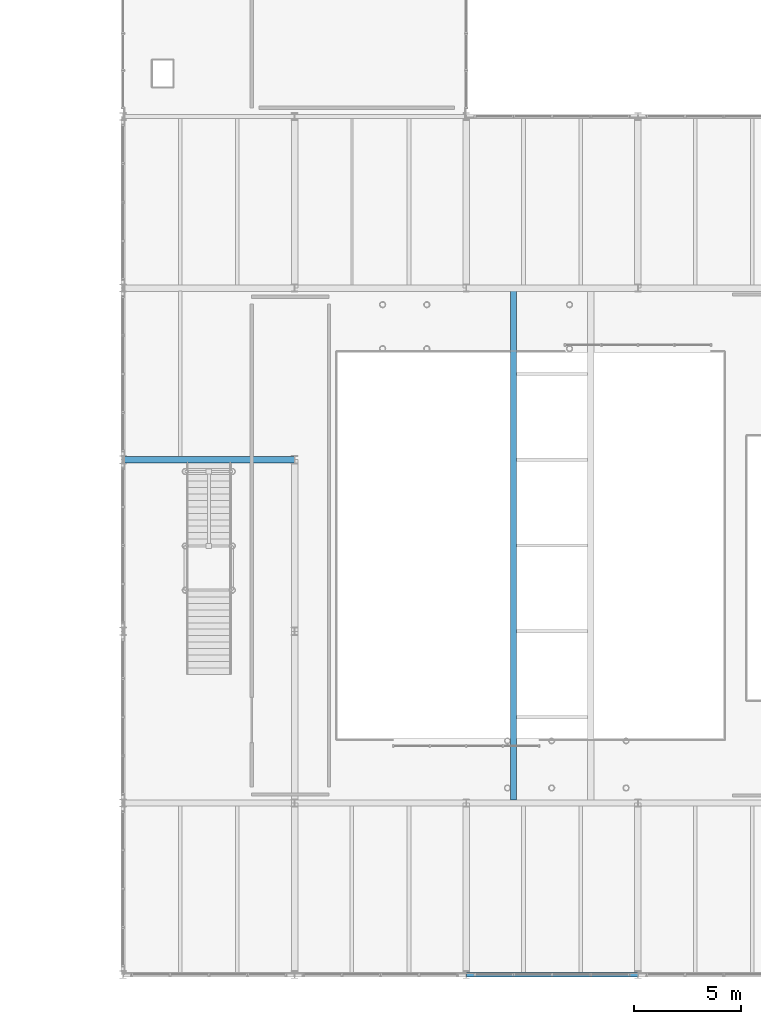
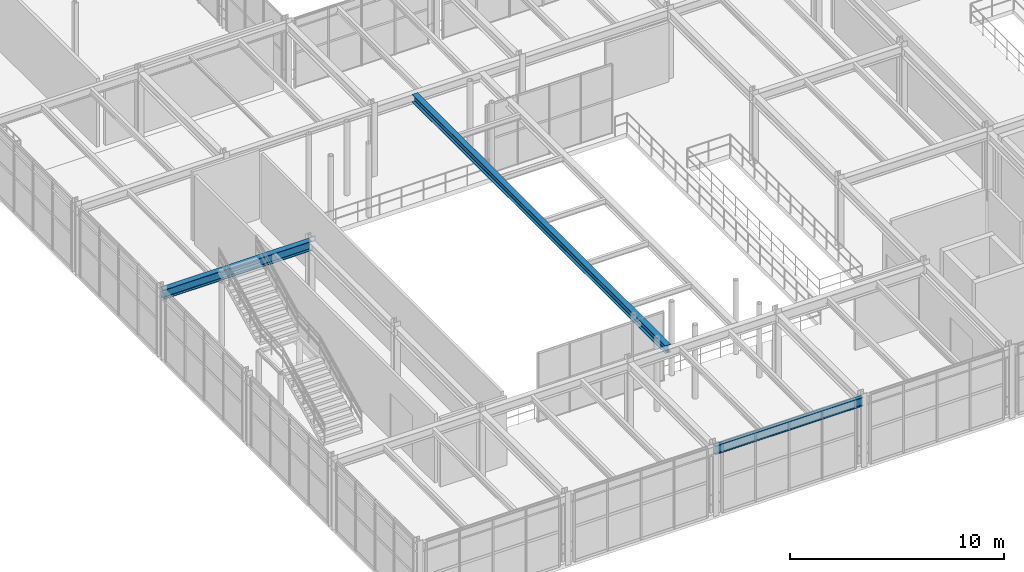
# One storey, part 25 of 122: 3 beams.
"""IFC4 building model written with IfcOpenShell, lengths in metres."""

from ifc_helpers import new_model, si_unit, direction, frame, origin, origin_2d, place, context, subcontext, project, spatial, i_section, extrude, material, material_profile, profile_set, type_object, element, save


model = new_model("IFC4")

# Units and contexts
model_context = context("Model", 3, precision=1e-05, world=origin(), true_north=direction((0.0, 1.0)))
body_context = subcontext(model_context, "Body", "Model", "MODEL_VIEW")
ifc_project = project(units=[si_unit("LENGTHUNIT", "METRE"), si_unit("AREAUNIT", "SQUARE_METRE"), si_unit("VOLUMEUNIT", "CUBIC_METRE"), si_unit("PLANEANGLEUNIT", "RADIAN"), si_unit("MASSUNIT", "GRAM", prefix="KILO")], contexts=[model_context])

# Site, building, storey
site_placement = place(None, origin())
site = spatial("IfcSite", under=ifc_project, at=site_placement, CompositionType="ELEMENT")
building_placement = place(site_placement, origin())
building = spatial("IfcBuilding", under=site, at=building_placement, Name="Sundkrona Museum", CompositionType="ELEMENT")
storey_placement = place(building_placement, frame((0.0, 0.0, 5.39990234375)))
storey = spatial("IfcBuildingStorey", under=building, at=storey_placement, Name="L01", CompositionType="ELEMENT", Elevation=5.39990234375)

# Beams
ifc_material = material(Name="Steel S355J2", Category="steel")
ifc_material_profile_1 = material_profile(ifc_material, i_section(OverallWidth=0.300048828125, OverallDepth=0.5400390625, WebThickness=0.012451171875, FlangeThickness=0.02392578125, FilletRadius=0.027099609375, at=origin_2d()), Name="HEA 550")
ifc_profile_set_1 = profile_set([ifc_material_profile_1], Name="Steel S355J2")
beam_type_1 = type_object("IfcBeamType", Name="B-HEA550", PredefinedType="BEAM", material=ifc_profile_set_1)
beam_1_placement = place(storey_placement, frame((80.0, 24.0, 3.670166015625), z_axis=(1.0, 0.0, 0.0), x_axis=(0.0, 1.0, 0.0)))
element("IfcBeam", 1, at=beam_1_placement, inside=storey, type_object=beam_type_1, Name="L01 Girder X-0832", PredefinedType="BEAM", context=body_context, shape_type="SweptSolid", body=[
    extrude(i_section(OverallWidth=0.300048828125, OverallDepth=0.5400390625, WebThickness=0.012451171875, FlangeThickness=0.02392578125, FilletRadius=0.027099609375, at=origin_2d()), origin(), (0.0, 0.0, 1.0), 8.0),
])
ifc_material_profile_2 = material_profile(ifc_material, i_section(OverallWidth=0.300048828125, OverallDepth=0.449951171875, WebThickness=0.013916015625, FlangeThickness=0.02587890625, FilletRadius=0.027099609375, at=origin_2d()), Name="HEB 450")
ifc_profile_set_2 = profile_set([ifc_material_profile_2], Name="Steel S355J2")
beam_type_2 = type_object("IfcBeamType", Name="B-HEB450", PredefinedType="BEAM", material=ifc_profile_set_2)
beam_2_placement = place(storey_placement, frame((98.199951171875, 8.139892578125, 3.735107421875), z_axis=(0.0, 1.0, 0.0), x_axis=(-1.0, 0.0, 0.0)))
element("IfcBeam", 2, at=beam_2_placement, inside=storey, type_object=beam_type_2, Name="Atrium Level 02 Bridge Main Girder X=98", PredefinedType="BEAM", context=body_context, shape_type="SweptSolid", body=[
    extrude(i_section(OverallWidth=0.300048828125, OverallDepth=0.449951171875, WebThickness=0.013916015625, FlangeThickness=0.02587890625, FilletRadius=0.027099609375, at=origin_2d()), origin(), (0.0, 0.0, 1.0), 23.72021484375),
])
ifc_material_profile_3 = material_profile(ifc_material, i_section(OverallWidth=0.199951171875, OverallDepth=0.5, WebThickness=0.01025390625, FlangeThickness=0.01611328125, FilletRadius=0.02099609375, at=origin_2d()), Name="IPE 500")
ifc_profile_set_3 = profile_set([ifc_material_profile_3], Name="Steel S355J2")
beam_type_3 = type_object("IfcBeamType", Name="SP-IPE500", PredefinedType="SPANDREL", material=ifc_profile_set_3)
beam_3_placement = place(storey_placement, frame((96.0, 0.0, 3.690185546875), z_axis=(1.0, 0.0, 0.0), x_axis=(0.0, 1.0, 0.0)))
element("IfcBeam", 3, at=beam_3_placement, inside=storey, type_object=beam_type_3, Name="L01 Girder X-0810", PredefinedType="SPANDREL", context=body_context, shape_type="SweptSolid", body=[
    extrude(i_section(OverallWidth=0.199951171875, OverallDepth=0.5, WebThickness=0.01025390625, FlangeThickness=0.01611328125, FilletRadius=0.02099609375, at=origin_2d()), origin(), (0.0, 0.0, 1.0), 8.0),
])

save(model, "model.ifc")
